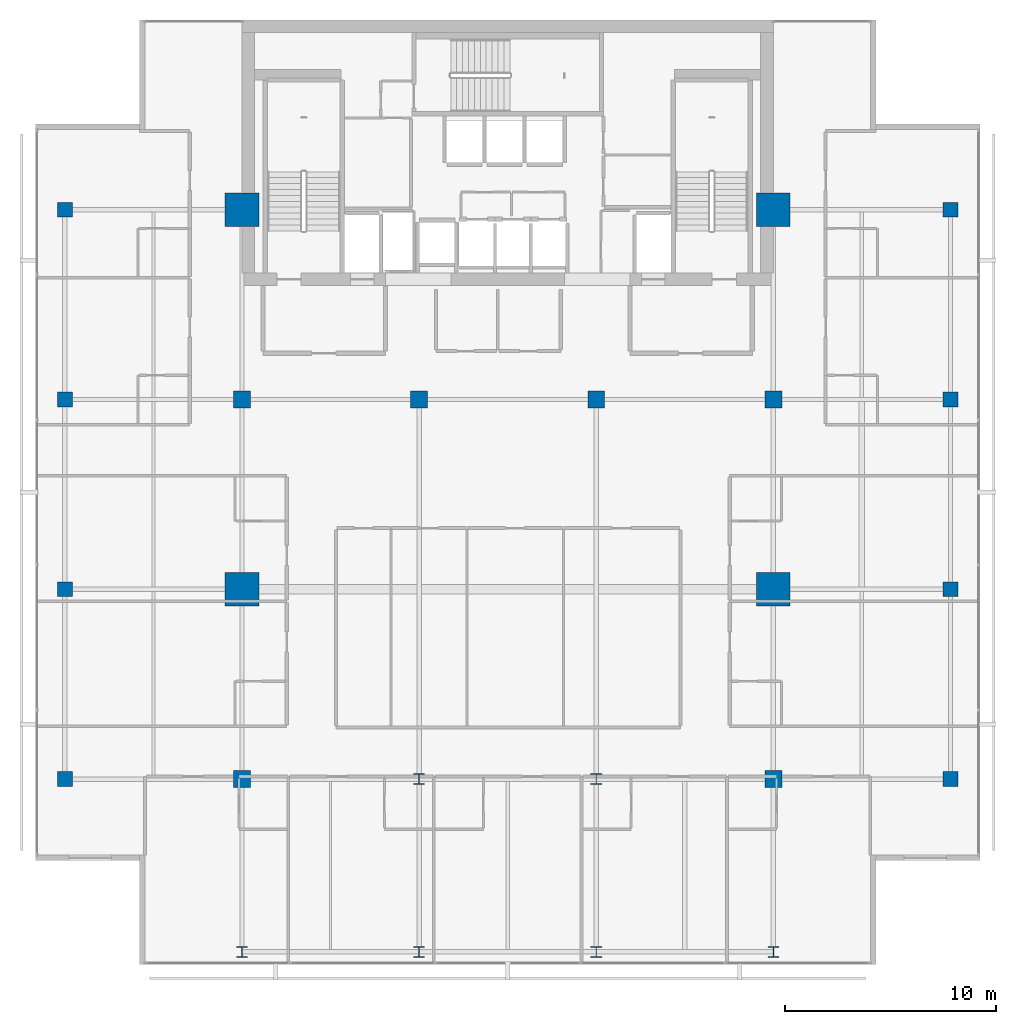
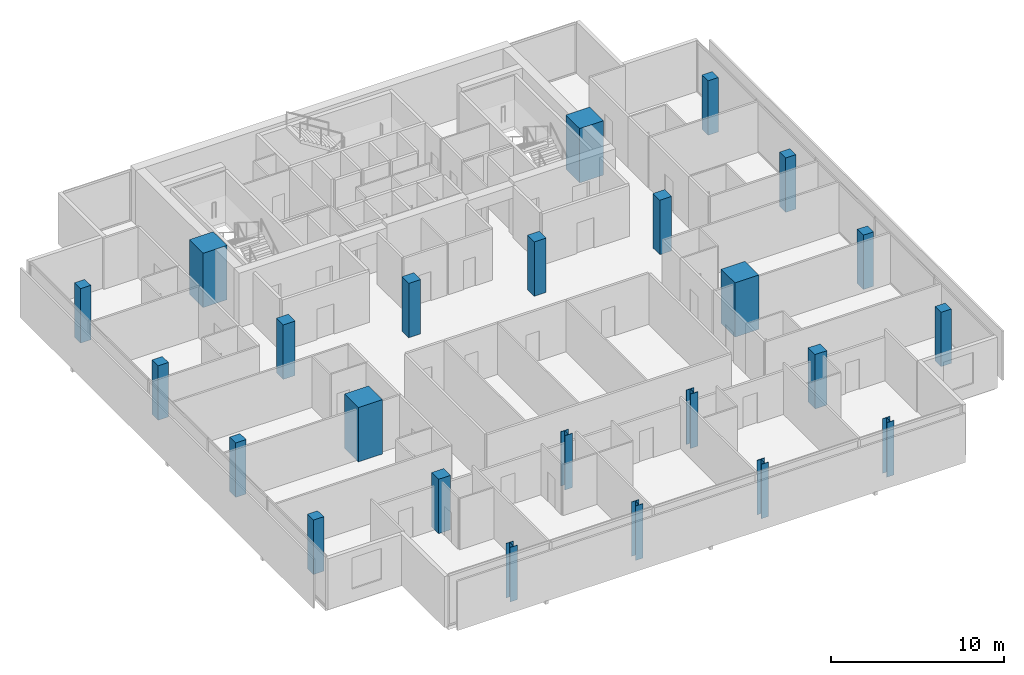
# One storey, part 1 of 26: 24 columns.
"""IFC4 building model written with IfcOpenShell, lengths in metres."""

from ifc_helpers import new_model, si_unit, direction, frame, origin, origin_2d, place, context, subcontext, project, spatial, rectangle, i_section, extrude, material, material_profile, profile_set, type_object, element, save


model = new_model("IFC4")

# Units and contexts
model_context = context("Model", 3, precision=1e-05, world=origin(), true_north=direction((0.0, 1.0)))
body_context = subcontext(model_context, "Body", "Model", "MODEL_VIEW")
ifc_project = project(units=[si_unit("LENGTHUNIT", "METRE"), si_unit("AREAUNIT", "SQUARE_METRE"), si_unit("VOLUMEUNIT", "CUBIC_METRE"), si_unit("PLANEANGLEUNIT", "RADIAN"), si_unit("MASSUNIT", "GRAM", prefix="KILO")], contexts=[model_context])

# Site, building, storey
site_placement = place(None, origin())
site = spatial("IfcSite", under=ifc_project, at=site_placement, CompositionType="ELEMENT")
building_placement = place(site_placement, origin())
building = spatial("IfcBuilding", under=site, at=building_placement, Name="Maruvema Waterfront Hotel and Observation Tower", CompositionType="ELEMENT")
storey_placement = place(building_placement, frame((0.0, 0.0, 266.35009765625)))
storey = spatial("IfcBuildingStorey", under=building, at=storey_placement, Name="L65", CompositionType="ELEMENT", Elevation=266.35009765625)

# Columns
ifc_material_1 = material(Name="Concrete C70/85", Category="concrete")
ifc_material_profile_1 = material_profile(ifc_material_1, rectangle(XDim=1.60009765625, YDim=1.60009765625, at=origin_2d()), Name="MC1600x1600")
ifc_profile_set_1 = profile_set([ifc_material_profile_1], Name="Concrete C70/85")
column_type_1 = type_object("IfcColumnType", Name="Continuous Mega-Column MC1600x1600", PredefinedType="COLUMN", material=ifc_profile_set_1)
for number, where, z_axis, x_axis, name in (
    (1, (25.199951171875, 27.0, 0.0), (0.0, 0.0, 1.0), (1.0, 0.0, 0.0), "L65 Continuous Mega-Column MC-01"),
    (2, (50.39990234375, 27.0, 0.0), (0.0, 0.0, 1.0), (1.0, 0.0, 0.0), "L65 Continuous Mega-Column MC-02"),
    (3, (25.199951171875, 45.0, 0.0), (0.0, 0.0, 1.0), (1.0, 0.0, 0.0), "L65 Continuous Mega-Column MC-03"),
    (4, (50.39990234375, 45.0, 0.0), (0.0, 0.0, 1.0), (1.0, 0.0, 0.0), "L65 Continuous Mega-Column MC-04"),
):
    element("IfcColumn", number, at=place(storey_placement, frame(where, z_axis=z_axis, x_axis=x_axis)), inside=storey, type_object=column_type_1, Name=name, PredefinedType="COLUMN", context=body_context, shape_type="SweptSolid", body=[
        extrude(rectangle(XDim=1.60009765625, YDim=1.60009765625, at=origin_2d()), origin(), (0.0, 0.0, 1.0), 3.849853515625),
    ])
ifc_material_2 = material(Name="Concrete C60/75", Category="concrete")
ifc_material_profile_2 = material_profile(ifc_material_2, rectangle(XDim=0.699951171875, YDim=0.699951171875, at=origin_2d()), Name="RC700x700")
ifc_profile_set_2 = profile_set([ifc_material_profile_2], Name="Concrete C60/75")
column_type_2 = type_object("IfcColumnType", Name="Reinforced Concrete Column RC700x700", PredefinedType="COLUMN", material=ifc_profile_set_2)
for number, where, z_axis, x_axis, name in (
    (5, (16.800048828125, 18.0, 0.0), (0.0, 0.0, 1.0), (1.0, 0.0, 0.0), "L65 Column C-3Y18"),
    (6, (58.800048828125, 18.0, 0.0), (0.0, 0.0, 1.0), (1.0, 0.0, 0.0), "L65 Column C-8Y18"),
    (7, (16.800048828125, 27.0, 0.0), (0.0, 0.0, 1.0), (1.0, 0.0, 0.0), "L65 Column C-3Y27"),
    (8, (58.800048828125, 27.0, 0.0), (0.0, 0.0, 1.0), (1.0, 0.0, 0.0), "L65 Column C-8Y27"),
    (9, (16.800048828125, 36.0, 0.0), (0.0, 0.0, 1.0), (1.0, 0.0, 0.0), "L65 Column C-3Y36"),
    (10, (58.800048828125, 36.0, 0.0), (0.0, 0.0, 1.0), (1.0, 0.0, 0.0), "L65 Column C-8Y36"),
    (11, (16.800048828125, 45.0, 0.0), (0.0, 0.0, 1.0), (1.0, 0.0, 0.0), "L65 Column C-3Y45"),
    (12, (58.800048828125, 45.0, 0.0), (0.0, 0.0, 1.0), (1.0, 0.0, 0.0), "L65 Column C-8Y45"),
):
    element("IfcColumn", number, at=place(storey_placement, frame(where, z_axis=z_axis, x_axis=x_axis)), inside=storey, type_object=column_type_2, Name=name, PredefinedType="COLUMN", context=body_context, shape_type="SweptSolid", body=[
        extrude(rectangle(XDim=0.699951171875, YDim=0.699951171875, at=origin_2d()), origin(), (0.0, 0.0, 1.0), 3.849853515625),
    ])
ifc_material_3 = material(Name="Concrete C60/75", Category="concrete")
ifc_material_profile_3 = material_profile(ifc_material_3, rectangle(XDim=0.800048828125, YDim=0.800048828125, at=origin_2d()), Name="RC800x800")
ifc_profile_set_3 = profile_set([ifc_material_profile_3], Name="Concrete C60/75")
column_type_3 = type_object("IfcColumnType", Name="Reinforced Concrete Column RC800x800", PredefinedType="COLUMN", material=ifc_profile_set_3)
for number, where, z_axis, x_axis, name in (
    (13, (25.199951171875, 36.0, 0.0), (0.0, 0.0, 1.0), (1.0, 0.0, 0.0), "L65 Column C-4E"),
    (14, (33.60009765625, 36.0, 0.0), (0.0, 0.0, 1.0), (1.0, 0.0, 0.0), "L65 Column C-5E"),
    (15, (42.0, 36.0, 0.0), (0.0, 0.0, 1.0), (1.0, 0.0, 0.0), "L65 Column C-6E"),
    (16, (50.39990234375, 36.0, 0.0), (0.0, 0.0, 1.0), (1.0, 0.0, 0.0), "L65 Column C-7E"),
    (17, (25.199951171875, 18.0, 0.0), (0.0, 0.0, 1.0), (1.0, 0.0, 0.0), "L65 Column C-4C"),
    (18, (50.39990234375, 18.0, 0.0), (0.0, 0.0, 1.0), (1.0, 0.0, 0.0), "L65 Column C-7C"),
):
    element("IfcColumn", number, at=place(storey_placement, frame(where, z_axis=z_axis, x_axis=x_axis)), inside=storey, type_object=column_type_3, Name=name, PredefinedType="COLUMN", context=body_context, shape_type="SweptSolid", body=[
        extrude(rectangle(XDim=0.800048828125, YDim=0.800048828125, at=origin_2d()), origin(), (0.0, 0.0, 1.0), 3.849853515625),
    ])
ifc_material_4 = material(Name="Steel ABNT NBR 7007 AR 415 (ASTM A572 Grade 50)", Category="steel")
ifc_material_profile_4 = material_profile(ifc_material_4, i_section(OverallWidth=0.5, OverallDepth=0.5, WebThickness=0.02197265625, FlangeThickness=0.031982421875, at=origin_2d()), Name="CVS500x223")
ifc_profile_set_4 = profile_set([ifc_material_profile_4], Name="Steel ABNT NBR 7007 AR 415 (ASTM A572 Grade 50)")
column_type_4 = type_object("IfcColumnType", Name="Structural Steel Column CVS500x223", PredefinedType="COLUMN", material=ifc_profile_set_4)
for number, where, z_axis, x_axis, name in (
    (19, (33.60009765625, 18.0, 0.0), (0.0, 0.0, 1.0), (1.0, 0.0, 0.0), "L65 Column C-5C"),
    (20, (42.0, 18.0, 0.0), (0.0, 0.0, 1.0), (1.0, 0.0, 0.0), "L65 Column C-6C"),
    (21, (25.199951171875, 9.800048828125, 0.0), (0.0, 0.0, 1.0), (1.0, 0.0, 0.0), "L65 Column C-Z3S4"),
    (22, (33.60009765625, 9.800048828125, 0.0), (0.0, 0.0, 1.0), (1.0, 0.0, 0.0), "L65 Column C-Z3S5"),
    (23, (42.0, 9.800048828125, 0.0), (0.0, 0.0, 1.0), (1.0, 0.0, 0.0), "L65 Column C-Z3S6"),
    (24, (50.39990234375, 9.800048828125, 0.0), (0.0, 0.0, 1.0), (1.0, 0.0, 0.0), "L65 Column C-Z3S7"),
):
    element("IfcColumn", number, at=place(storey_placement, frame(where, z_axis=z_axis, x_axis=x_axis)), inside=storey, type_object=column_type_4, Name=name, PredefinedType="COLUMN", context=body_context, shape_type="SweptSolid", body=[
        extrude(i_section(OverallWidth=0.5, OverallDepth=0.5, WebThickness=0.02197265625, FlangeThickness=0.031982421875, at=origin_2d()), origin(), (0.0, 0.0, 1.0), 3.849853515625),
    ])

save(model, "model.ifc")
